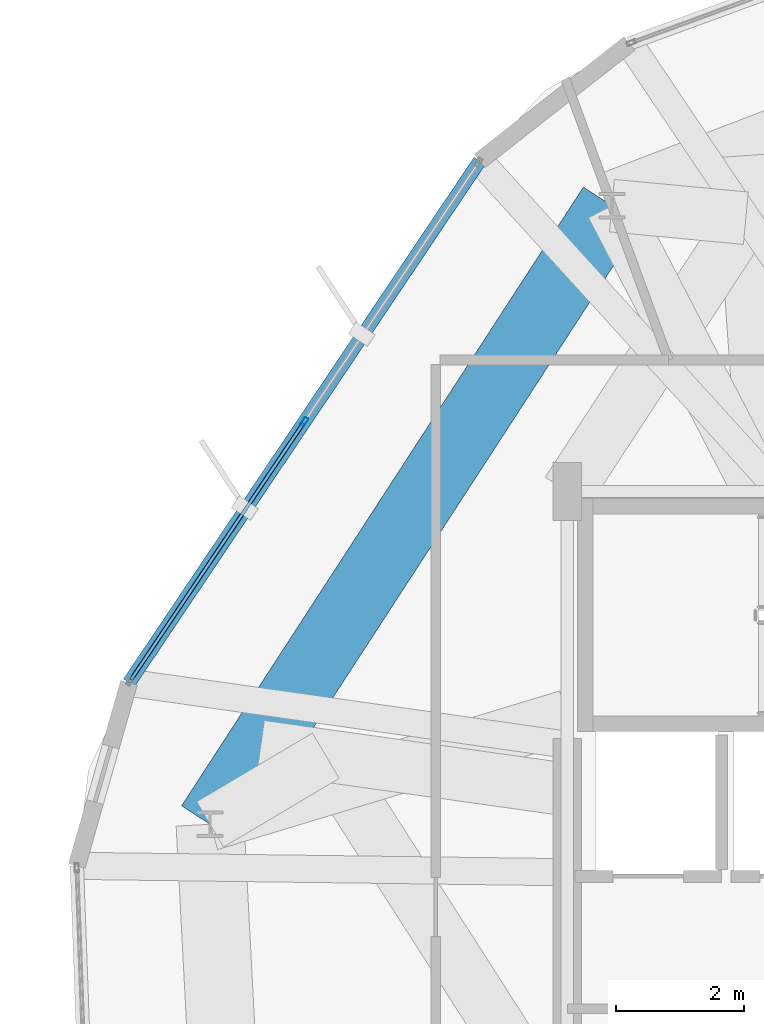
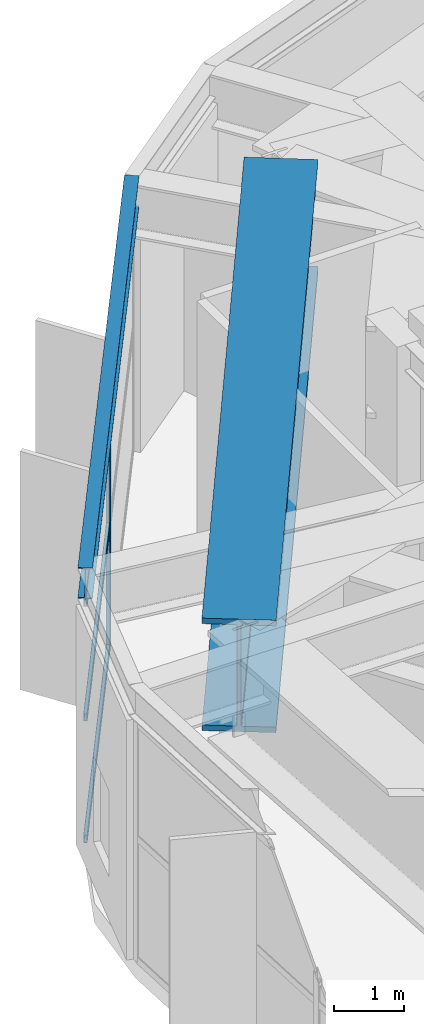
# One storey, part 11 of 30: 4 members, 2 beams, 1 element without a shape of its own.
"""IFC4 building model written with IfcOpenShell, lengths in metres."""

from ifc_helpers import new_model, si_unit, direction, frame, origin, origin_2d, place, context, subcontext, project, spatial, hollow_rectangle, i_section, extrude, material, layer, layer_set, material_profile, profile_set, type_object, element, aggregate, save


model = new_model("IFC4")

# Units and contexts
model_context = context("Model", 3, precision=1e-05, world=origin(), true_north=direction((0.0, 1.0)))
body_context = subcontext(model_context, "Body", "Model", "MODEL_VIEW")
ifc_project = project(units=[si_unit("LENGTHUNIT", "METRE"), si_unit("AREAUNIT", "SQUARE_METRE"), si_unit("VOLUMEUNIT", "CUBIC_METRE"), si_unit("PLANEANGLEUNIT", "RADIAN"), si_unit("MASSUNIT", "GRAM", prefix="KILO")], contexts=[model_context])

# Site, building, storey
site_placement = place(None, origin())
site = spatial("IfcSite", under=ifc_project, at=site_placement, CompositionType="ELEMENT")
building_placement = place(site_placement, origin())
building = spatial("IfcBuilding", under=site, at=building_placement, Name="Soratama Intermodal Tower", CompositionType="ELEMENT")
storey_placement = place(building_placement, frame((0.0, 0.0, 237.39990234375)))
storey = spatial("IfcBuildingStorey", under=building, at=storey_placement, Name="L60", CompositionType="ELEMENT", Elevation=237.39990234375)

# Beams
ifc_material_1 = material(Name="Structural steel ASTM A992 Grade 50", Category="steel")
ifc_material_profile_1 = material_profile(ifc_material_1, i_section(OverallWidth=0.2099609375, OverallDepth=0.537109375, WebThickness=0.010986328125, FlangeThickness=0.017333984375, FilletRadius=0.012939453125, at=origin_2d()), Name="W21X68")
ifc_profile_set_1 = profile_set([ifc_material_profile_1], Name="Structural steel ASTM A992 Grade 50")
beam_type_1 = type_object("IfcBeamType", Name="BM-SPN-W21X68", PredefinedType="SPANDREL", material=ifc_profile_set_1)
beam_1_placement = place(storey_placement, frame((31.23388671875, 40.152099609375, 4.531494140625), z_axis=(-0.557698427637, -0.83004365175, 0.0), x_axis=(0.83004365175, -0.557698427637, 0.0)))
element("IfcBeam", 1, at=beam_1_placement, inside=storey, type_object=beam_type_1, Name="BS-L60-F03", PredefinedType="SPANDREL", context=body_context, shape_type="SweptSolid", body=[
    extrude(i_section(OverallWidth=0.2099609375, OverallDepth=0.537109375, WebThickness=0.010986328125, FlangeThickness=0.017333984375, FilletRadius=0.012939453125, at=origin_2d()), origin(), (0.0, 0.0, 1.0), 9.797119140625),
])
ifc_material_2 = material(Name="Structural steel ASTM A992 Grade 50", Category="steel")
ifc_material_profile_2 = material_profile(ifc_material_2, i_section(OverallWidth=1.06005859375, OverallDepth=1.9599609375, WebThickness=0.05810546875, FlangeThickness=0.095947265625, FilletRadius=0.02392578125, at=origin_2d()), Name="PG2400X900")
ifc_profile_set_2 = profile_set([ifc_material_profile_2], Name="Structural steel ASTM A992 Grade 50")
beam_type_2 = type_object("IfcBeamType", Name="BM-ZSTEP-PG2400", PredefinedType="BEAM", material=ifc_profile_set_2)
beam_2_placement = place(storey_placement, frame((33.294921875, 39.455078125, 3.820068359375), z_axis=(-0.544637453764, -0.83867159482, 0.0), x_axis=(0.83867159482, -0.544637453764, 0.0)))
element("IfcBeam", 2, at=beam_2_placement, inside=storey, type_object=beam_type_2, Name="BM-L60-RING-04", PredefinedType="BEAM", context=body_context, shape_type="SweptSolid", body=[
    extrude(i_section(OverallWidth=1.06005859375, OverallDepth=1.9599609375, WebThickness=0.05810546875, FlangeThickness=0.095947265625, FilletRadius=0.02392578125, at=origin_2d()), origin(), (0.0, 0.0, 1.0), 11.49560546875),
])

# Curtain wall, members
ifc_material_3 = material(Name="Double-glazed aluminium curtain wall", Category="aluminium")
ifc_layer = layer(ifc_material_3, 0.159912109375)
ifc_layer_set = layer_set([ifc_layer], Name="Double-glazed aluminium curtain wall")
curtain_wall_type = type_object("IfcCurtainWallType", Name="CW-SYS-5", PredefinedType="NOTDEFINED", material=ifc_layer_set)
curtain_wall_placement = place(storey_placement, origin())
curtain_wall = element("IfcCurtainWall", 3, at=curtain_wall_placement, inside=storey, type_object=curtain_wall_type, Name="L60 Faceted Curtain Wall F03", PredefinedType="NOTDEFINED")
ifc_material_4 = material(Name="Anodised aluminium AA 6063-T6", Category="aluminium")
ifc_material_profile_3 = material_profile(ifc_material_4, hollow_rectangle(XDim=0.06494140625, YDim=0.139892578125, WallThickness=0.0048828125, InnerFilletRadius=0.0048828125, OuterFilletRadius=0.010009765625, at=origin_2d()), Name="CWM140X65X5")
ifc_profile_set_3 = profile_set([ifc_material_profile_3], Name="Anodised aluminium AA 6063-T6")
member_type_1 = type_object("IfcMemberType", Name="MT-CWM-5", PredefinedType="MULLION", material=ifc_profile_set_3)
member_1_placement = place(storey_placement, frame((28.501708984375, 36.086181640625, 0.0), z_axis=(0.0, 0.0, 1.0), x_axis=(0.830012833984, -0.557744292147, 0.0)))
member_1 = element("IfcMember", 4, at=member_1_placement, type_object=member_type_1, Name="CW-5 mullion 2", PredefinedType="MULLION", context=body_context, shape_type="SweptSolid", body=[
    extrude(hollow_rectangle(XDim=0.06494140625, YDim=0.139892578125, WallThickness=0.0048828125, InnerFilletRadius=0.0048828125, OuterFilletRadius=0.010009765625, at=origin_2d()), origin(), (0.0, 0.0, 1.0), 4.17919921875),
])
ifc_material_5 = material(Name="Anodised aluminium AA 6063-T6", Category="aluminium")
ifc_material_profile_4 = material_profile(ifc_material_5, hollow_rectangle(XDim=0.06005859375, YDim=0.1298828125, WallThickness=0.0048828125, InnerFilletRadius=0.0048828125, OuterFilletRadius=0.010009765625, at=origin_2d()), Name="CWT130X60X5")
ifc_profile_set_4 = profile_set([ifc_material_profile_4], Name="Anodised aluminium AA 6063-T6")
member_type_2 = type_object("IfcMemberType", Name="TT-CWT-2", PredefinedType="USERDEFINED", material=ifc_profile_set_4)
member_2_placement = place(storey_placement, frame((28.485107421875, 36.061279296875, 0.030029296875), z_axis=(-0.557766091375, -0.829998185126, 0.0), x_axis=(0.829998185126, -0.557766091375, 0.0)))
member_2 = element("IfcMember", 5, at=member_2_placement, type_object=member_type_2, Name="CW-5 transom 2.1", ObjectType="TRANSOM", PredefinedType="USERDEFINED", context=body_context, shape_type="SweptSolid", body=[
    extrude(hollow_rectangle(XDim=0.06005859375, YDim=0.1298828125, WallThickness=0.0048828125, InnerFilletRadius=0.0048828125, OuterFilletRadius=0.010009765625, at=origin_2d()), origin(), (0.0, 0.0, 1.0), 4.80859375),
])
member_3_placement = place(storey_placement, frame((28.485107421875, 36.061279296875, 2.150146484375), z_axis=(-0.557766091375, -0.829998185126, 0.0), x_axis=(0.829998185126, -0.557766091375, 0.0)))
member_3 = element("IfcMember", 6, at=member_3_placement, type_object=member_type_2, Name="CW-5 transom 2.2", ObjectType="TRANSOM", PredefinedType="USERDEFINED", context=body_context, shape_type="SweptSolid", body=[
    extrude(hollow_rectangle(XDim=0.06005859375, YDim=0.1298828125, WallThickness=0.0048828125, InnerFilletRadius=0.0048828125, OuterFilletRadius=0.010009765625, at=origin_2d()), origin(), (0.0, 0.0, 1.0), 4.80859375),
])
member_4_placement = place(storey_placement, frame((28.485107421875, 36.061279296875, 4.149169921875), z_axis=(-0.557766091375, -0.829998185126, 0.0), x_axis=(0.829998185126, -0.557766091375, 0.0)))
member_4 = element("IfcMember", 7, at=member_4_placement, type_object=member_type_2, Name="CW-5 transom 2.3", ObjectType="TRANSOM", PredefinedType="USERDEFINED", context=body_context, shape_type="SweptSolid", body=[
    extrude(hollow_rectangle(XDim=0.06005859375, YDim=0.1298828125, WallThickness=0.0048828125, InnerFilletRadius=0.0048828125, OuterFilletRadius=0.010009765625, at=origin_2d()), origin(), (0.0, 0.0, 1.0), 4.80859375),
])
aggregate(curtain_wall, [member_1, member_2, member_3, member_4])

save(model, "model.ifc")
